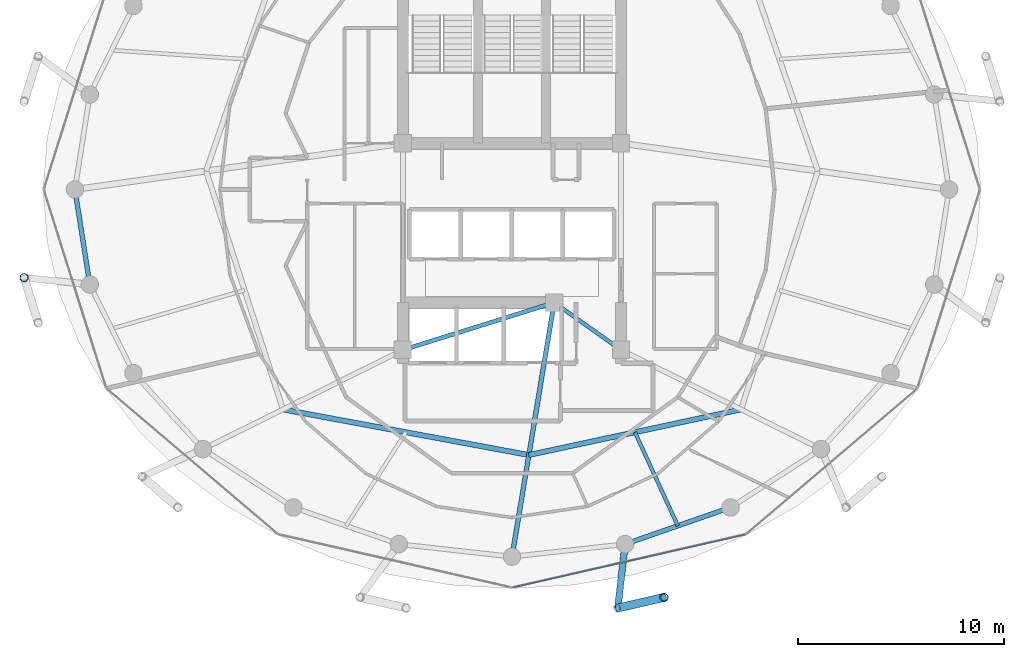
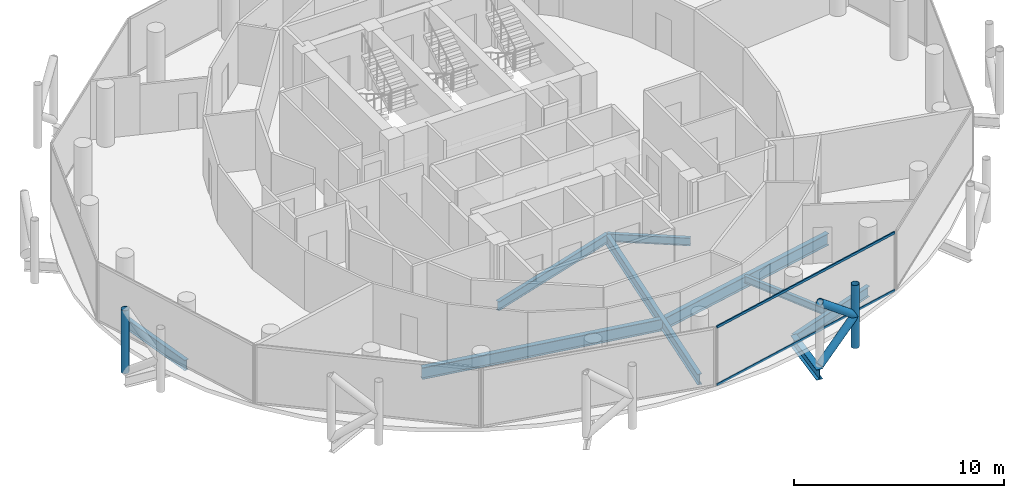
# One storey, part 6 of 27: 9 beams, 6 members, 1 element without a shape of its own.
"""IFC4 building model written with IfcOpenShell, lengths in metres."""

from ifc_helpers import new_model, si_unit, direction, frame, origin, origin_2d, place, context, subcontext, project, spatial, hollow_rectangle, hollow_circle, i_section, extrude, material, layer, layer_set, material_profile, profile_set, type_object, element, aggregate, save


model = new_model("IFC4")

# Units and contexts
model_context = context("Model", 3, precision=1e-05, world=origin(), true_north=direction((0.0, 1.0)))
body_context = subcontext(model_context, "Body", "Model", "MODEL_VIEW")
ifc_project = project(units=[si_unit("LENGTHUNIT", "METRE"), si_unit("AREAUNIT", "SQUARE_METRE"), si_unit("VOLUMEUNIT", "CUBIC_METRE"), si_unit("PLANEANGLEUNIT", "RADIAN"), si_unit("MASSUNIT", "GRAM", prefix="KILO")], contexts=[model_context])

# Site, building, storey
site_placement = place(None, origin())
site = spatial("IfcSite", under=ifc_project, at=site_placement, CompositionType="ELEMENT")
building_placement = place(site_placement, origin())
building = spatial("IfcBuilding", under=site, at=building_placement, Name="Nuhasar Tower", CompositionType="ELEMENT")
storey_placement = place(building_placement, frame((0.0, 0.0, 215.449951171875)))
storey = spatial("IfcBuildingStorey", under=building, at=storey_placement, Name="L52", CompositionType="ELEMENT", Elevation=215.449951171875)

# Beams
ifc_material_1 = material(Name="Steel S355", Category="steel")
ifc_material_profile_1 = material_profile(ifc_material_1, i_section(OverallWidth=0.25390625, OverallDepth=0.68408203125, WebThickness=0.012451171875, FlangeThickness=0.018798828125, at=origin_2d()), Name="W27X94")
ifc_profile_set_1 = profile_set([ifc_material_profile_1], Name="Steel S355")
beam_type_1 = type_object("IfcBeamType", Name="BM-INRING-W27X94", PredefinedType="BEAM", material=ifc_profile_set_1)
beam_1_placement = place(storey_placement, frame((27.864013671875, 16.10693359375, -0.58203125), z_axis=(0.983238439987, -0.182324354193, 0.0), x_axis=(0.182324354193, 0.983238439987, 0.0)))
element("IfcBeam", 1, at=beam_1_placement, inside=storey, type_object=beam_type_1, Name="L52 Inner Header Beam 01", PredefinedType="BEAM", context=body_context, shape_type="SweptSolid", body=[
    extrude(i_section(OverallWidth=0.25390625, OverallDepth=0.68408203125, WebThickness=0.012451171875, FlangeThickness=0.018798828125, at=origin_2d()), origin(), (0.0, 0.0, 1.0), 12.159912109375),
])
beam_2_placement = place(storey_placement, frame((39.820068359375, 13.889892578125, -0.58203125), z_axis=(0.977676275959, 0.210116870876, 0.0), x_axis=(-0.210116870876, 0.977676275959, 0.0)))
element("IfcBeam", 2, at=beam_2_placement, inside=storey, type_object=beam_type_1, Name="L52 Inner Header Beam 02", PredefinedType="BEAM", context=body_context, shape_type="SweptSolid", body=[
    extrude(i_section(OverallWidth=0.25390625, OverallDepth=0.68408203125, WebThickness=0.012451171875, FlangeThickness=0.018798828125, at=origin_2d()), origin(), (0.0, 0.0, 1.0), 10.551513671875),
])
ifc_material_profile_2 = material_profile(ifc_material_1, i_section(OverallWidth=0.177978515625, OverallDepth=0.406005859375, WebThickness=0.0078125, FlangeThickness=0.0126953125, at=origin_2d()), Name="W16X40")
ifc_profile_set_2 = profile_set([ifc_material_profile_2], Name="Steel S355")
beam_type_2 = type_object("IfcBeamType", Name="BM-JST-W16X40", PredefinedType="JOIST", material=ifc_profile_set_2)
beam_3_placement = place(storey_placement, frame((44.97802734375, 14.998046875, -0.44287109375), z_axis=(0.416562288184, -0.909107177434, 0.0), x_axis=(0.909107177434, 0.416562288184, 0.0)))
element("IfcBeam", 3, at=beam_3_placement, inside=storey, type_object=beam_type_2, Name="L52 Secondary Floor Joist 02", PredefinedType="JOIST", context=body_context, shape_type="SweptSolid", body=[
    extrude(i_section(OverallWidth=0.177978515625, OverallDepth=0.406005859375, WebThickness=0.0078125, FlangeThickness=0.0126953125, at=origin_2d()), origin(), (0.0, 0.0, 1.0), 5.0029296875),
])
ifc_material_profile_3 = material_profile(ifc_material_1, i_section(OverallWidth=0.18994140625, OverallDepth=0.45703125, WebThickness=0.009033203125, FlangeThickness=0.014404296875, at=origin_2d()), Name="W18X50")
ifc_profile_set_3 = profile_set([ifc_material_profile_3], Name="Steel S355")
beam_type_3 = type_object("IfcBeamType", Name="BM-RAD-W18X50", PredefinedType="BEAM", material=ifc_profile_set_3)
beam_4_placement = place(storey_placement, frame((41.050048828125, 21.300048828125, -0.468017578125), z_axis=(0.816265428953, -0.577677028708, 0.0), x_axis=(0.577677028708, 0.816265428953, 0.0)))
element("IfcBeam", 4, at=beam_4_placement, inside=storey, type_object=beam_type_3, Name="L52 Core Ring Girder 2", PredefinedType="BEAM", context=body_context, shape_type="SweptSolid", body=[
    extrude(i_section(OverallWidth=0.18994140625, OverallDepth=0.45703125, WebThickness=0.009033203125, FlangeThickness=0.014404296875, at=origin_2d()), origin(), (0.0, 0.0, 1.0), 3.9814453125),
])
ifc_material_profile_4 = material_profile(ifc_material_1, i_section(OverallWidth=0.208984375, OverallDepth=0.528076171875, WebThickness=0.009521484375, FlangeThickness=0.01318359375, at=origin_2d()), Name="W21X55")
ifc_profile_set_4 = profile_set([ifc_material_profile_4], Name="Steel S355")
beam_type_4 = type_object("IfcBeamType", Name="BM-RAD-W21X55", PredefinedType="BEAM", material=ifc_profile_set_4)
beam_5_placement = place(storey_placement, frame((33.699951171875, 19.0, -0.50390625), z_axis=(0.954363709454, 0.298646798205, 0.0), x_axis=(-0.298646798205, 0.954363709454, 0.0)))
element("IfcBeam", 5, at=beam_5_placement, inside=storey, type_object=beam_type_4, Name="L52 Core Ring Girder 1", PredefinedType="BEAM", context=body_context, shape_type="SweptSolid", body=[
    extrude(i_section(OverallWidth=0.208984375, OverallDepth=0.528076171875, WebThickness=0.009521484375, FlangeThickness=0.01318359375, at=origin_2d()), origin(), (0.0, 0.0, 1.0), 7.70166015625),
])
ifc_material_profile_5 = material_profile(ifc_material_1, i_section(OverallWidth=0.22900390625, OverallDepth=0.612060546875, WebThickness=0.011962890625, FlangeThickness=0.01953125, at=origin_2d()), Name="W24X84")
ifc_profile_set_5 = profile_set([ifc_material_profile_5], Name="Steel S355")
beam_type_5 = type_object("IfcBeamType", Name="BM-RAD-W24X84", PredefinedType="BEAM", material=ifc_profile_set_5)
beam_6_placement = place(storey_placement, frame((41.050048828125, 21.300048828125, -0.5458984375), z_axis=(-0.163753822517, -0.98650123447, 0.0), x_axis=(0.98650123447, -0.163753822517, 0.0)))
element("IfcBeam", 6, at=beam_6_placement, inside=storey, type_object=beam_type_5, Name="L52 Radial Floor Girder 02", PredefinedType="BEAM", context=body_context, shape_type="SweptSolid", body=[
    extrude(i_section(OverallWidth=0.22900390625, OverallDepth=0.612060546875, WebThickness=0.011962890625, FlangeThickness=0.01953125, at=origin_2d()), origin(), (0.0, 0.0, 1.0), 12.51904296875),
])
ifc_material_profile_6 = material_profile(ifc_material_1, i_section(OverallWidth=0.22802734375, OverallDepth=0.60791015625, WebThickness=0.01123046875, FlangeThickness=0.017333984375, at=origin_2d()), Name="W24X76")
ifc_profile_set_6 = profile_set([ifc_material_profile_6], Name="Steel S355")
beam_type_6 = type_object("IfcBeamType", Name="BM-RING-W24X76", PredefinedType="SPANDREL", material=ifc_profile_set_6)
beam_7_placement = place(storey_placement, frame((17.75, 26.800048828125, -0.5439453125), z_axis=(0.154841886404, -0.987939264436, 0.0), x_axis=(0.987939264436, 0.154841886404, 0.0)))
element("IfcBeam", 7, at=beam_7_placement, inside=storey, type_object=beam_type_6, Name="L52 Perimeter Ring Spandrel 13", PredefinedType="SPANDREL", context=body_context, shape_type="SweptSolid", body=[
    extrude(i_section(OverallWidth=0.22802734375, OverallDepth=0.60791015625, WebThickness=0.01123046875, FlangeThickness=0.017333984375, at=origin_2d()), origin(), (0.0, 0.0, 1.0), 4.676513671875),
])
beam_8_placement = place(storey_placement, frame((44.5, 9.55810546875, -0.5439453125), z_axis=(0.944476764686, 0.328578211342, 0.0), x_axis=(-0.328578211342, 0.944476764686, 0.0)))
element("IfcBeam", 8, at=beam_8_placement, inside=storey, type_object=beam_type_6, Name="L52 Perimeter Ring Spandrel 20", PredefinedType="SPANDREL", context=body_context, shape_type="SweptSolid", body=[
    extrude(i_section(OverallWidth=0.22802734375, OverallDepth=0.60791015625, WebThickness=0.01123046875, FlangeThickness=0.017333984375, at=origin_2d()), origin(), (0.0, 0.0, 1.0), 5.42626953125),
])
ifc_material_profile_7 = material_profile(ifc_material_1, i_section(OverallWidth=0.323974609375, OverallDepth=0.611083984375, WebThickness=0.0126953125, FlangeThickness=0.01904296875, at=origin_2d()), Name="W24X104")
ifc_profile_set_7 = profile_set([ifc_material_profile_7], Name="Steel S355")
beam_type_7 = type_object("IfcBeamType", Name="BM-TIE-W24X104", PredefinedType="BEAM", material=ifc_profile_set_7)
beam_9_placement = place(storey_placement, frame((44.5, 9.55810546875, -0.544921875), z_axis=(-0.114123371392, -0.993466585297, 0.0), x_axis=(0.993466585297, -0.114123371392, 0.0)))
element("IfcBeam", 9, at=beam_9_placement, inside=storey, type_object=beam_type_7, Name="L52 Exoskeleton Node Tie Beam 10", PredefinedType="BEAM", context=body_context, shape_type="SweptSolid", body=[
    extrude(i_section(OverallWidth=0.323974609375, OverallDepth=0.611083984375, WebThickness=0.0126953125, FlangeThickness=0.01904296875, at=origin_2d()), origin(), (0.0, 0.0, 1.0), 3.127685546875),
])

# Curtain wall, members
ifc_material_2 = material(Name="Aluminium 6063-T6", Category="aluminium")
ifc_layer = layer(ifc_material_2, 0.18994140625)
ifc_layer_set = layer_set([ifc_layer], Name="Aluminium 6063-T6")
curtain_wall_type = type_object("IfcCurtainWallType", Name="CW-Z3-RES", PredefinedType="NOTDEFINED", material=ifc_layer_set)
curtain_wall_placement = place(storey_placement, origin())
curtain_wall = element("IfcCurtainWall", 10, at=curtain_wall_placement, inside=storey, type_object=curtain_wall_type, Name="L52 Unitised Curtain Wall 10", PredefinedType="NOTDEFINED")
ifc_material_profile_8 = material_profile(ifc_material_2, hollow_rectangle(XDim=0.06494140625, YDim=0.139892578125, WallThickness=0.00439453125, at=origin_2d()), Name="CWT-4")
ifc_profile_set_8 = profile_set([ifc_material_profile_8], Name="Aluminium 6063-T6")
member_type_1 = type_object("IfcMemberType", Name="CW-TRN-S4", PredefinedType="USERDEFINED", material=ifc_profile_set_8)
member_1_placement = place(storey_placement, frame((39.0634765625, 7.454345703125, 0.032470703125), z_axis=(0.974989487479, 0.222250982686, 0.0), x_axis=(-0.222250982686, 0.974989487479, 0.0)))
member_1 = element("IfcMember", 11, at=member_1_placement, type_object=member_type_1, Name="CW-Z3 transom 1.1", ObjectType="TRANSOM", PredefinedType="USERDEFINED", context=body_context, shape_type="SweptSolid", body=[
    extrude(hollow_rectangle(XDim=0.06494140625, YDim=0.139892578125, WallThickness=0.00439453125, at=origin_2d()), origin(), (0.0, 0.0, 1.0), 11.541748046875),
])
member_2_placement = place(storey_placement, frame((39.0634765625, 7.454345703125, 3.37744140625), z_axis=(0.974989487479, 0.222250982686, 0.0), x_axis=(-0.222250982686, 0.974989487479, 0.0)))
member_2 = element("IfcMember", 12, at=member_2_placement, type_object=member_type_1, Name="CW-Z3 transom 1.2", ObjectType="TRANSOM", PredefinedType="USERDEFINED", context=body_context, shape_type="SweptSolid", body=[
    extrude(hollow_rectangle(XDim=0.06494140625, YDim=0.139892578125, WallThickness=0.00439453125, at=origin_2d()), origin(), (0.0, 0.0, 1.0), 11.541748046875),
])
aggregate(curtain_wall, [member_1, member_2])

# Members
ifc_material_3 = material(Name="Steel S460", Category="steel")
ifc_material_profile_9 = material_profile(ifc_material_3, hollow_circle(Radius=0.203125, WallThickness=0.01904296875, at=origin_2d()), Name="HSS406.4X19.1")
ifc_profile_set_9 = profile_set([ifc_material_profile_9], Name="Steel S460")
member_type_2 = type_object("IfcMemberType", Name="EXO-BRONZE-406", PredefinedType="BRACE", material=ifc_profile_set_9)
for number, where, z_axis, x_axis, name in (
    (13, (15.281982421875, 22.513916015625, 0.0), (0.0, 0.0, 1.0), (1.0, 0.0, 0.0), "L52 Exoskeleton Chord Column EC-07A"),
    (14, (46.384033203125, 6.967041015625, 0.0), (0.0, 0.0, 1.0), (1.0, 0.0, 0.0), "L52 Exoskeleton Chord Column EC-10B"),
):
    element("IfcMember", number, at=place(storey_placement, frame(where, z_axis=z_axis, x_axis=x_axis)), inside=storey, type_object=member_type_2, Name=name, PredefinedType="BRACE", context=body_context, shape_type="SweptSolid", body=[
        extrude(hollow_circle(Radius=0.203125, WallThickness=0.01904296875, at=origin_2d()), origin(), (0.0, 0.0, 1.0), 3.650146484375),
    ])
member_3_placement = place(storey_placement, frame((44.14306640625, 6.450927734375, 0.0), z_axis=(0.76333158458, 0.175801609086, 0.621625841021), x_axis=(-0.224433035437, 0.97448951385, 0.0)))
element("IfcMember", 15, at=member_3_placement, inside=storey, type_object=member_type_2, Name="L52 Bronze Diagrid Brace W1-10", PredefinedType="BRACE", context=body_context, shape_type="SweptSolid", body=[
    extrude(hollow_circle(Radius=0.203125, WallThickness=0.01904296875, at=origin_2d()), origin(), (0.0, 0.0, 1.0), 2.935791015625),
])
member_4_placement = place(storey_placement, frame((46.384033203125, 6.967041015625, 1.824951171875), z_axis=(-0.763292124721, -0.175792521153, 0.621676862884), x_axis=(0.224433035437, -0.97448951385, 0.0)))
element("IfcMember", 16, at=member_4_placement, inside=storey, type_object=member_type_2, Name="L52 Bronze Diagrid Brace W2-10", PredefinedType="BRACE", context=body_context, shape_type="SweptSolid", body=[
    extrude(hollow_circle(Radius=0.203125, WallThickness=0.01904296875, at=origin_2d()), origin(), (0.0, 0.0, 1.0), 2.93603515625),
])

save(model, "model.ifc")
